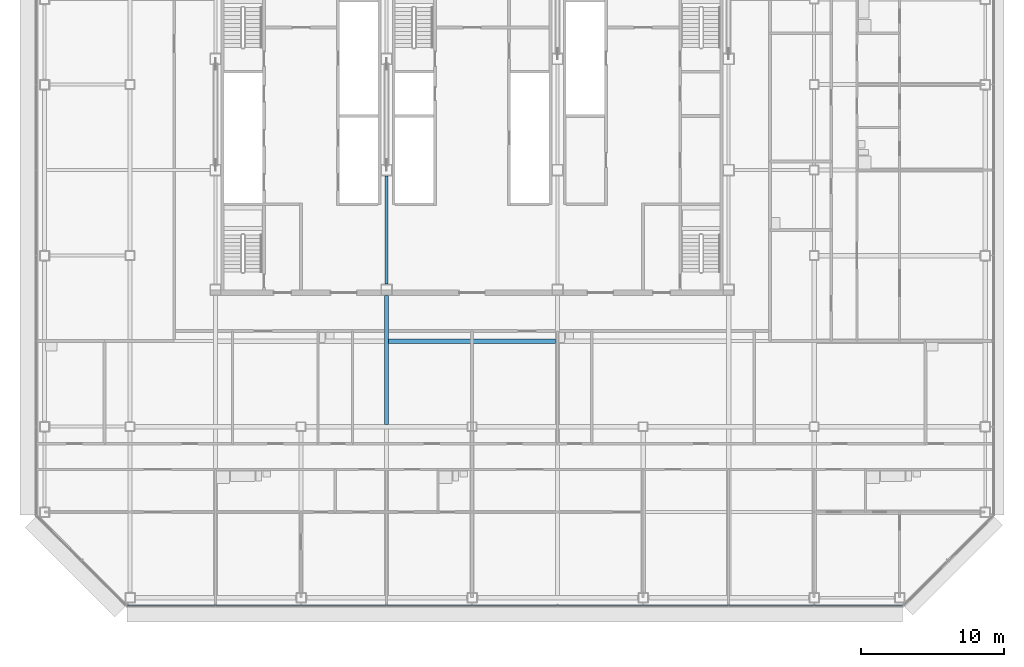
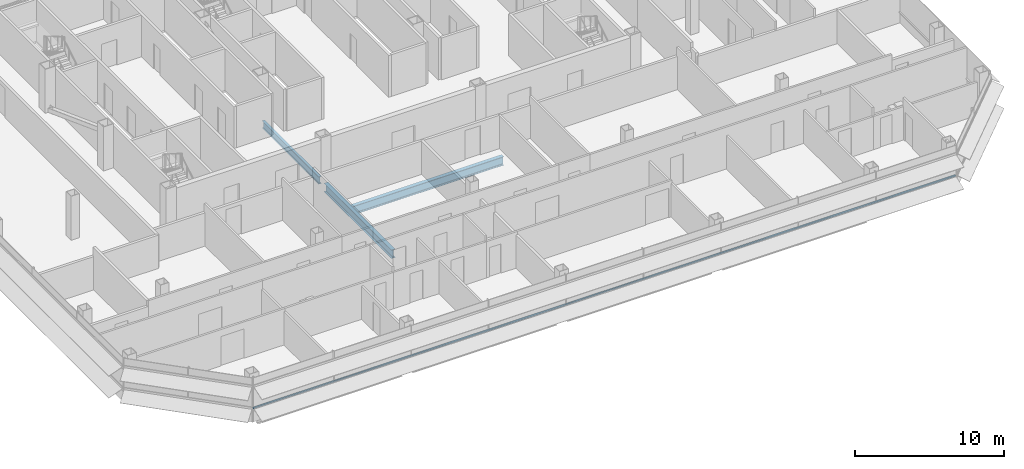
# One storey, part 7 of 26: 3 beams, 1 member, 1 element without a shape of its own.
"""IFC4 building model written with IfcOpenShell, lengths in metres."""

from ifc_helpers import new_model, si_unit, direction, frame, origin, origin_2d, place, context, subcontext, project, spatial, rectangle, i_section, extrude, material, material_profile, profile_set, type_object, element, aggregate, save


model = new_model("IFC4")

# Units and contexts
model_context = context("Model", 3, precision=1e-05, world=origin(), true_north=direction((0.0, 1.0)))
body_context = subcontext(model_context, "Body", "Model", "MODEL_VIEW")
ifc_project = project(units=[si_unit("LENGTHUNIT", "METRE"), si_unit("AREAUNIT", "SQUARE_METRE"), si_unit("VOLUMEUNIT", "CUBIC_METRE"), si_unit("PLANEANGLEUNIT", "RADIAN"), si_unit("MASSUNIT", "GRAM", prefix="KILO")], contexts=[model_context])

# Site, building, storey
site_placement = place(None, origin())
site = spatial("IfcSite", under=ifc_project, at=site_placement, CompositionType="ELEMENT")
building_placement = place(site_placement, origin())
building = spatial("IfcBuilding", under=site, at=building_placement, Name="Sorahane Residences", CompositionType="ELEMENT")
storey_placement = place(building_placement, frame((0.0, 0.0, 147.39990234375)))
storey = spatial("IfcBuildingStorey", under=building, at=storey_placement, Name="L33", CompositionType="ELEMENT", Elevation=147.39990234375)

# Curtain wall, member
ifc_material_1 = material(Name="Dark low-e glass and black anodised aluminium", Category="aluminium")
curtain_wall_type = type_object("IfcCurtainWallType", Name="Curtain wall CW-1 Typical unitised wall", PredefinedType="NOTDEFINED", material=ifc_material_1)
curtain_wall_placement = place(storey_placement, origin())
curtain_wall = element("IfcCurtainWall", 1, at=curtain_wall_placement, inside=storey, type_object=curtain_wall_type, Name="CW-1 curtain wall L33 S1", PredefinedType="NOTDEFINED")
ifc_material_2 = material(Name="Black anodised aluminium", Category="aluminium")
ifc_material_profile_1 = material_profile(ifc_material_2, rectangle(XDim=0.10009765625, YDim=0.06005859375, at=origin_2d()), Name="Curtain wall transom CW-1 black anodised aluminium 60x100")
ifc_profile_set_1 = profile_set([ifc_material_profile_1], Name="Black anodised aluminium")
member_type = type_object("IfcMemberType", Name="Curtain wall transom CW-1 black anodised aluminium 60x100", PredefinedType="USERDEFINED", material=ifc_profile_set_1)
member_placement = place(storey_placement, frame((-0.198486328125, -0.530029296875, 0.900146484375), z_axis=(1.0, 0.0, 0.0), x_axis=(0.0, 1.0, 0.0)))
member = element("IfcMember", 2, at=member_placement, type_object=member_type, Name="CW-1 transom L33 S1", ObjectType="TRANSOM", PredefinedType="USERDEFINED", context=body_context, shape_type="SweptSolid", body=[
    extrude(rectangle(XDim=0.10009765625, YDim=0.06005859375, at=origin_2d()), origin(), (0.0, 0.0, 1.0), 54.39697265625),
])
aggregate(curtain_wall, [member])

# Beams
ifc_material_3 = material(Name="Steel Q355B", Category="steel")
ifc_material_profile_2 = material_profile(ifc_material_3, i_section(OverallWidth=0.199951171875, OverallDepth=0.60009765625, WebThickness=0.010986328125, FlangeThickness=0.01708984375, FilletRadius=0.02392578125, at=origin_2d()), Name="HN 600x200x11x17")
ifc_profile_set_2 = profile_set([ifc_material_profile_2], Name="Steel Q355B")
beam_type_1 = type_object("IfcBeamType", Name="Steel floor beam HN 600x200x11x17 Q355B", PredefinedType="BEAM", material=ifc_profile_set_2)
beam_1_placement = place(storey_placement, frame((18.0, 22.0, -0.47998046875), z_axis=(0.0, 1.0, 0.0), x_axis=(-1.0, 0.0, 0.0)))
element("IfcBeam", 3, at=beam_1_placement, inside=storey, type_object=beam_type_1, Name="Beam L33 038", PredefinedType="BEAM", context=body_context, shape_type="SweptSolid", body=[
    extrude(i_section(OverallWidth=0.199951171875, OverallDepth=0.60009765625, WebThickness=0.010986328125, FlangeThickness=0.01708984375, FilletRadius=0.02392578125, at=origin_2d()), origin(), (0.0, 0.0, 1.0), 7.60009765625),
])
ifc_material_4 = material(Name="Steel Q355B", Category="steel")
ifc_material_profile_3 = material_profile(ifc_material_4, i_section(OverallWidth=0.300048828125, OverallDepth=0.699951171875, WebThickness=0.012939453125, FlangeThickness=0.02392578125, FilletRadius=0.028076171875, at=origin_2d()), Name="HN 700x300x13x24")
ifc_profile_set_3 = profile_set([ifc_material_profile_3], Name="Steel Q355B")
beam_type_2 = type_object("IfcBeamType", Name="Steel floor beam HN 700x300x13x24 Q355B", PredefinedType="BEAM", material=ifc_profile_set_3)
beam_2_placement = place(storey_placement, frame((18.0, 12.14990234375, -0.52978515625), z_axis=(0.0, 1.0, 0.0), x_axis=(-1.0, 0.0, 0.0)))
element("IfcBeam", 4, at=beam_2_placement, inside=storey, type_object=beam_type_2, Name="Beam L33 037", PredefinedType="BEAM", context=body_context, shape_type="SweptSolid", body=[
    extrude(i_section(OverallWidth=0.300048828125, OverallDepth=0.699951171875, WebThickness=0.012939453125, FlangeThickness=0.02392578125, FilletRadius=0.028076171875, at=origin_2d()), origin(), (0.0, 0.0, 1.0), 9.050048828125),
])
beam_3_placement = place(storey_placement, frame((18.14990234375, 18.0, -0.52978515625), z_axis=(1.0, 0.0, 0.0), x_axis=(0.0, 1.0, 0.0)))
element("IfcBeam", 5, at=beam_3_placement, inside=storey, type_object=beam_type_2, Name="Beam L33 081", PredefinedType="BEAM", context=body_context, shape_type="SweptSolid", body=[
    extrude(i_section(OverallWidth=0.300048828125, OverallDepth=0.699951171875, WebThickness=0.012939453125, FlangeThickness=0.02392578125, FilletRadius=0.028076171875, at=origin_2d()), origin(), (0.0, 0.0, 1.0), 11.7001953125),
])

save(model, "model.ifc")
